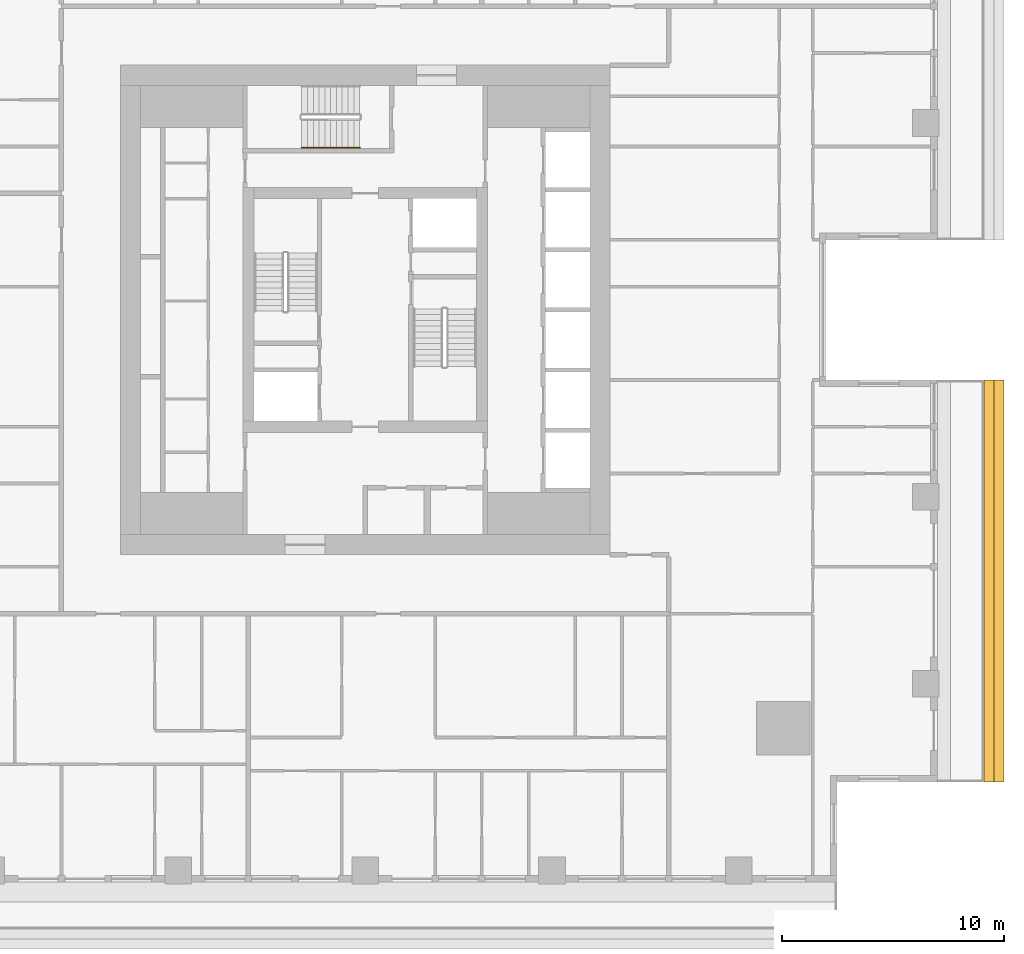
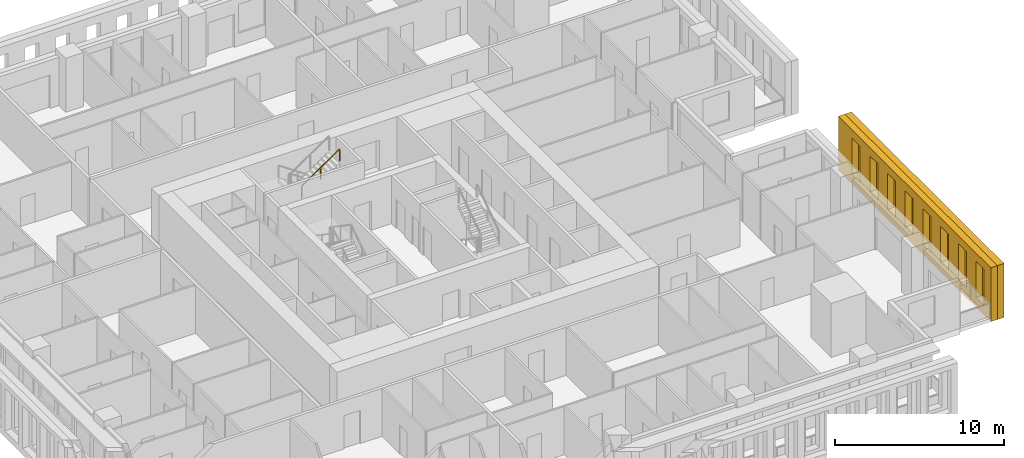
# One storey, part 14 of 16: 2 shading devices, 1 railing.
"""IFC4 building model written with IfcOpenShell, lengths in metres."""

from ifc_helpers import new_model, si_unit, direction, frame, origin, origin_2d, place, context, subcontext, project, spatial, polyline, rectangle, outline, extrude, material, type_object, element, save


model = new_model("IFC4")

# Units and contexts
model_context = context("Model", 3, precision=1e-05, world=origin(), true_north=direction((0.0, 1.0)))
body_context = subcontext(model_context, "Body", "Model", "MODEL_VIEW")
ifc_project = project(units=[si_unit("LENGTHUNIT", "METRE"), si_unit("AREAUNIT", "SQUARE_METRE"), si_unit("VOLUMEUNIT", "CUBIC_METRE"), si_unit("PLANEANGLEUNIT", "RADIAN"), si_unit("MASSUNIT", "GRAM", prefix="KILO")], contexts=[model_context])

# Site, building, storey
site_placement = place(None, origin())
site = spatial("IfcSite", under=ifc_project, at=site_placement, CompositionType="ELEMENT")
building_placement = place(site_placement, origin())
building = spatial("IfcBuilding", under=site, at=building_placement, Name="Khepri Terraces", CompositionType="ELEMENT")
storey_placement = place(building_placement, frame((0.0, 0.0, 192.300048828125)))
storey = spatial("IfcBuildingStorey", under=building, at=storey_placement, Name="L45", CompositionType="ELEMENT", Elevation=192.300048828125)

# Railing
ifc_material_1 = material(Name="Stainless steel 316", Category="steel")
railing_type = type_object("IfcRailingType", Name="RL-CORE-HANDRAIL", PredefinedType="HANDRAIL", material=ifc_material_1)
railing_placement = place(storey_placement, frame((-2.85009765625, 7.300048828125, 2.127197265625)))
element("IfcRailing", 1, at=railing_placement, inside=storey, type_object=railing_type, Name="L45 ST-3 stair handrail 2", PredefinedType="HANDRAIL", context=body_context, shape_type="SweptSolid", body=[
    extrude(rectangle(XDim=0.050048828125, YDim=0.050048828125, at=origin_2d()), frame((0.0, 0.0, 0.875), z_axis=(0.826240473404, 0.0, 0.563317565952), x_axis=(0.0, 1.0, 0.0)), (0.0, 0.0, 1.0), 3.14697265625),
    extrude(rectangle(XDim=0.050048828125, YDim=0.050048828125, at=origin_2d()), origin(), (0.0, 0.0, 1.0), 0.849853515625),
    extrude(rectangle(XDim=0.050048828125, YDim=0.050048828125, at=origin_2d()), frame((1.300048828125, 0.0, 0.88623046875)), (0.0, 0.0, 1.0), 0.849853515625),
    extrude(rectangle(XDim=0.050048828125, YDim=0.050048828125, at=origin_2d()), frame((2.60009765625, 0.0, 1.772705078125)), (0.0, 0.0, 1.0), 0.849853515625),
])

# Shading devices
ifc_material_2 = material(Name="Precast concrete C50/60 warm stone", Category="masonry")
shading_device_type_1 = type_object("IfcShadingDeviceType", Name="SCR-CELL-INNER-450", PredefinedType="USERDEFINED", material=ifc_material_2)
shading_device_1_placement = place(storey_placement, frame((27.820068359375, -21.219970703125, -0.25), z_axis=(1.0, 0.0, 0.0), x_axis=(0.0, 1.0, 0.0)))
element("IfcShadingDevice", 2, at=shading_device_1_placement, inside=storey, type_object=shading_device_type_1, Name="Cell screen L45 E in", ObjectType="SCREEN", PredefinedType="USERDEFINED", context=body_context, shape_type="SweptSolid", body=[
    extrude(outline(polyline([(0.0, 0.0), (18.070068359375, 0.0), (18.070068359375, 3.89990234375), (0.0, 3.89990234375), (0.0, 0.0)]), holes=[polyline([(0.797607421875, 0.699951171875), (1.742431640625, 0.699951171875), (1.742431640625, 3.300048828125), (0.797607421875, 3.300048828125), (0.797607421875, 0.699951171875)]), polyline([(2.8974609375, 0.699951171875), (3.842529296875, 0.699951171875), (3.842529296875, 3.300048828125), (2.8974609375, 3.300048828125), (2.8974609375, 0.699951171875)]), polyline([(4.99755859375, 0.699951171875), (5.9423828125, 0.699951171875), (5.9423828125, 3.300048828125), (4.99755859375, 3.300048828125), (4.99755859375, 0.699951171875)]), polyline([(7.097412109375, 0.699951171875), (8.04248046875, 0.699951171875), (8.04248046875, 3.300048828125), (7.097412109375, 3.300048828125), (7.097412109375, 0.699951171875)]), polyline([(9.197509765625, 0.699951171875), (10.142578125, 0.699951171875), (10.142578125, 3.300048828125), (9.197509765625, 3.300048828125), (9.197509765625, 0.699951171875)]), polyline([(11.297607421875, 0.699951171875), (12.242431640625, 0.699951171875), (12.242431640625, 3.300048828125), (11.297607421875, 3.300048828125), (11.297607421875, 0.699951171875)]), polyline([(13.3974609375, 0.699951171875), (14.342529296875, 0.699951171875), (14.342529296875, 3.300048828125), (13.3974609375, 3.300048828125), (13.3974609375, 0.699951171875)]), polyline([(15.49755859375, 0.699951171875), (16.4423828125, 0.699951171875), (16.4423828125, 3.300048828125), (15.49755859375, 3.300048828125), (15.49755859375, 0.699951171875)])]), origin(), (0.0, 0.0, 1.0), 0.449951171875),
])
shading_device_type_2 = type_object("IfcShadingDeviceType", Name="SCR-CELL-OUTER-450", PredefinedType="USERDEFINED", material=ifc_material_2)
shading_device_2_placement = place(storey_placement, frame((28.27001953125, -21.219970703125, -0.25), z_axis=(1.0, 0.0, 0.0), x_axis=(0.0, 1.0, 0.0)))
element("IfcShadingDevice", 3, at=shading_device_2_placement, inside=storey, type_object=shading_device_type_2, Name="Cell screen L45 E out", ObjectType="SCREEN", PredefinedType="USERDEFINED", context=body_context, shape_type="SweptSolid", body=[
    extrude(outline(polyline([(0.0, 0.0), (18.070068359375, 0.0), (18.070068359375, 3.89990234375), (0.0, 3.89990234375), (0.0, 0.0)]), holes=[polyline([(0.447509765625, 0.449951171875), (2.092529296875, 0.449951171875), (2.092529296875, 3.550048828125), (0.447509765625, 3.550048828125), (0.447509765625, 0.449951171875)]), polyline([(2.547607421875, 0.449951171875), (4.1923828125, 0.449951171875), (4.1923828125, 3.550048828125), (2.547607421875, 3.550048828125), (2.547607421875, 0.449951171875)]), polyline([(4.6474609375, 0.449951171875), (6.29248046875, 0.449951171875), (6.29248046875, 3.550048828125), (4.6474609375, 3.550048828125), (4.6474609375, 0.449951171875)]), polyline([(6.74755859375, 0.449951171875), (8.392578125, 0.449951171875), (8.392578125, 3.550048828125), (6.74755859375, 3.550048828125), (6.74755859375, 0.449951171875)]), polyline([(8.847412109375, 0.449951171875), (10.492431640625, 0.449951171875), (10.492431640625, 3.550048828125), (8.847412109375, 3.550048828125), (8.847412109375, 0.449951171875)]), polyline([(10.947509765625, 0.449951171875), (12.592529296875, 0.449951171875), (12.592529296875, 3.550048828125), (10.947509765625, 3.550048828125), (10.947509765625, 0.449951171875)]), polyline([(13.047607421875, 0.449951171875), (14.6923828125, 0.449951171875), (14.6923828125, 3.550048828125), (13.047607421875, 3.550048828125), (13.047607421875, 0.449951171875)]), polyline([(15.1474609375, 0.449951171875), (16.79248046875, 0.449951171875), (16.79248046875, 3.550048828125), (15.1474609375, 3.550048828125), (15.1474609375, 0.449951171875)])]), origin(), (0.0, 0.0, 1.0), 0.449951171875),
])

save(model, "model.ifc")
